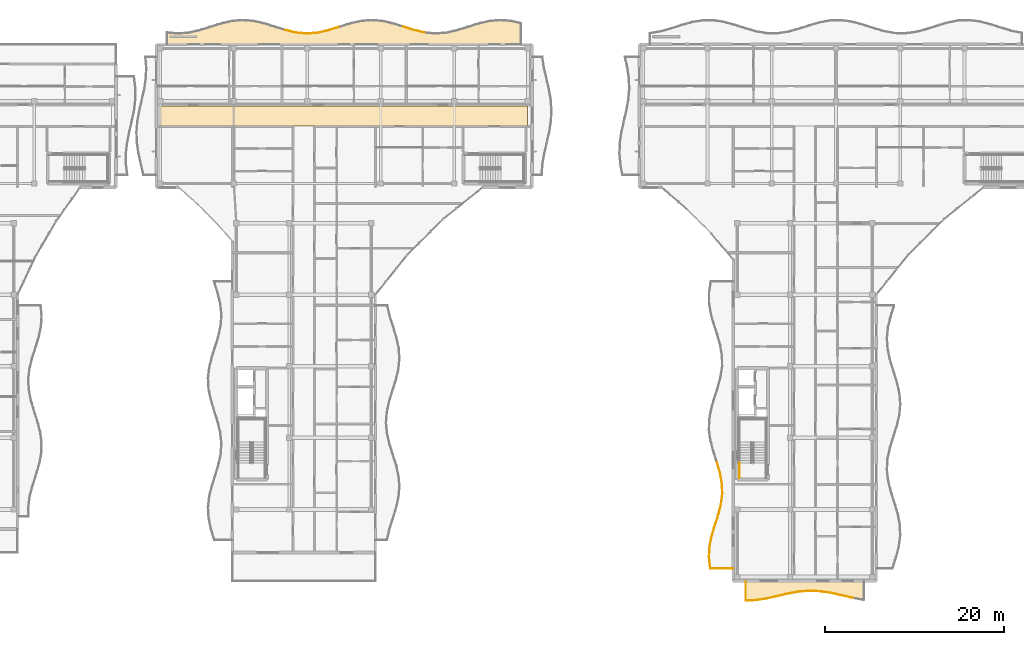
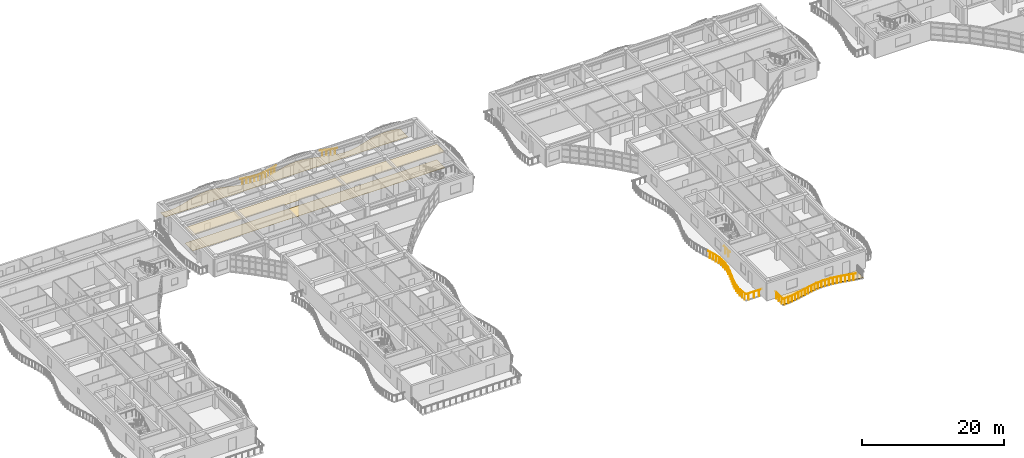
# One storey, part 56 of 71: 30 railings, 4 coverings.
"""IFC4 building model written with IfcOpenShell, lengths in metres."""

from ifc_helpers import new_model, si_unit, direction, frame, origin, origin_2d, place, context, subcontext, project, spatial, polyline, circle, outline, extrude, material, layer, layer_set, type_object, element, save


model = new_model("IFC4")

# Units and contexts
model_context = context("Model", 3, precision=1e-05, world=origin(), true_north=direction((0.0, 1.0)))
body_context = subcontext(model_context, "Body", "Model", "MODEL_VIEW")
ifc_project = project(units=[si_unit("LENGTHUNIT", "METRE"), si_unit("AREAUNIT", "SQUARE_METRE"), si_unit("VOLUMEUNIT", "CUBIC_METRE"), si_unit("PLANEANGLEUNIT", "RADIAN"), si_unit("MASSUNIT", "GRAM", prefix="KILO")], contexts=[model_context])

# Site, building, storey
site_placement = place(None, origin())
site = spatial("IfcSite", under=ifc_project, at=site_placement, CompositionType="ELEMENT")
building_placement = place(site_placement, origin())
building = spatial("IfcBuilding", under=site, at=building_placement, Name="Keldmere Railside Commons", CompositionType="ELEMENT")
storey_placement = place(building_placement, frame((0.0, 0.0, 20.159912109375)))
storey = spatial("IfcBuildingStorey", under=building, at=storey_placement, Name="L06", CompositionType="ELEMENT", Elevation=20.159912109375)

# Railings
ifc_material_1 = material(Name="Steel F-24 (S235)", Category="steel")
railing_type_1 = type_object("IfcRailingType", Name="Balcony & Terrace Steel Balustrade 1100", PredefinedType="BALUSTRADE", material=ifc_material_1)
railing_1_placement = place(storey_placement, frame((53.89990234375, 117.6005859375, 0.0)))
element("IfcRailing", 1, at=railing_1_placement, inside=storey, type_object=railing_type_1, Name="GR-1 GRD-L06-1447", PredefinedType="BALUSTRADE", context=body_context, shape_type="SweptSolid", body=[
    extrude(circle(Radius=0.02392578125, at=origin_2d()), frame((0.0, 0.0, 1.076171875), z_axis=(0.972916525002, -0.231156733361, 0.0), x_axis=(0.231156733361, 0.972916525002, 0.0)), (0.0, 0.0, 1.0), 1.233642578125),
    extrude(circle(Radius=0.02099609375, at=origin_2d()), frame((0.300048828125, -0.0712890625, 0.0)), (0.0, 0.0, 1.0), 1.048095703125),
    extrude(circle(Radius=0.02099609375, at=origin_2d()), frame((0.900146484375, -0.2138671875, 0.0)), (0.0, 0.0, 1.0), 1.048095703125),
])
railing_2_placement = place(storey_placement, frame((55.10009765625, 117.3154296875, 0.0)))
element("IfcRailing", 2, at=railing_2_placement, inside=storey, type_object=railing_type_1, Name="GR-1 GRD-L06-1448", PredefinedType="BALUSTRADE", context=body_context, shape_type="SweptSolid", body=[
    extrude(circle(Radius=0.02392578125, at=origin_2d()), frame((0.0, 0.0, 1.076171875), z_axis=(0.995458988415, -0.095191398689, 0.0), x_axis=(0.095191398689, 0.995458988415, 0.0)), (0.0, 0.0, 1.0), 1.205322265625),
    extrude(circle(Radius=0.02099609375, at=origin_2d()), frame((0.300048828125, -0.02880859375, 0.0)), (0.0, 0.0, 1.0), 1.048095703125),
    extrude(circle(Radius=0.02099609375, at=origin_2d()), frame((0.89990234375, -0.0859375, 0.0)), (0.0, 0.0, 1.0), 1.048095703125),
])
railing_3_placement = place(storey_placement, frame((56.300048828125, 117.20068359375, 0.0)))
element("IfcRailing", 3, at=railing_3_placement, inside=storey, type_object=railing_type_1, Name="GR-1 GRD-L06-1449", PredefinedType="BALUSTRADE", context=body_context, shape_type="SweptSolid", body=[
    extrude(circle(Radius=0.02392578125, at=origin_2d()), frame((0.0, 0.0, 1.076171875), z_axis=(0.997459729889, 0.071232627709, 0.0), x_axis=(-0.071232627709, 0.997459729889, 0.0)), (0.0, 0.0, 1.0), 1.203125),
    extrude(circle(Radius=0.02099609375, at=origin_2d()), frame((0.300048828125, 0.021484375, 0.0)), (0.0, 0.0, 1.0), 1.048095703125),
    extrude(circle(Radius=0.02099609375, at=origin_2d()), frame((0.89990234375, 0.064208984375, 0.0)), (0.0, 0.0, 1.0), 1.048095703125),
])
railing_4_placement = place(storey_placement, frame((57.5, 117.286376953125, 0.0)))
element("IfcRailing", 4, at=railing_4_placement, inside=storey, type_object=railing_type_1, Name="GR-1 GRD-L06-1450", PredefinedType="BALUSTRADE", context=body_context, shape_type="SweptSolid", body=[
    extrude(circle(Radius=0.02392578125, at=origin_2d()), frame((0.0, 0.0, 1.076171875), z_axis=(0.976698645206, 0.214615368631, 0.0), x_axis=(-0.214615368631, 0.976698645206, 0.0)), (0.0, 0.0, 1.0), 1.228515625),
    extrude(circle(Radius=0.02099609375, at=origin_2d()), frame((0.300048828125, 0.06591796875, 0.0)), (0.0, 0.0, 1.0), 1.048095703125),
    extrude(circle(Radius=0.02099609375, at=origin_2d()), frame((0.89990234375, 0.19775390625, 0.0)), (0.0, 0.0, 1.0), 1.048095703125),
])
railing_5_placement = place(storey_placement, frame((58.699951171875, 117.550048828125, 0.0)))
element("IfcRailing", 5, at=railing_5_placement, inside=storey, type_object=railing_type_1, Name="GR-1 GRD-L06-1451", PredefinedType="BALUSTRADE", context=body_context, shape_type="SweptSolid", body=[
    extrude(circle(Radius=0.02392578125, at=origin_2d()), frame((0.0, 0.0, 1.076171875), z_axis=(0.955412612016, 0.295274009695, 0.0), x_axis=(-0.295274009695, 0.955412612016, 0.0)), (0.0, 0.0, 1.0), 1.255859375),
    extrude(circle(Radius=0.02099609375, at=origin_2d()), frame((0.300048828125, 0.0927734375, 0.0)), (0.0, 0.0, 1.0), 1.048095703125),
    extrude(circle(Radius=0.02099609375, at=origin_2d()), frame((0.89990234375, 0.278076171875, 0.0)), (0.0, 0.0, 1.0), 1.048095703125),
])
railing_6_placement = place(storey_placement, frame((67.10009765625, 117.97900390625, 0.0)))
element("IfcRailing", 6, at=railing_6_placement, inside=storey, type_object=railing_type_1, Name="GR-1 GRD-L06-1458", PredefinedType="BALUSTRADE", context=body_context, shape_type="SweptSolid", body=[
    extrude(circle(Radius=0.02392578125, at=origin_2d()), frame((0.0, 0.0, 1.076171875), z_axis=(0.953699895739, -0.300759885736, 0.0), x_axis=(0.300759885736, 0.953699895739, 0.0)), (0.0, 0.0, 1.0), 1.25830078125),
    extrude(circle(Radius=0.02099609375, at=origin_2d()), frame((0.300048828125, -0.0947265625, 0.0)), (0.0, 0.0, 1.0), 1.048095703125),
    extrude(circle(Radius=0.02099609375, at=origin_2d()), frame((0.89990234375, -0.28369140625, 0.0)), (0.0, 0.0, 1.0), 1.048095703125),
])
railing_7_placement = place(storey_placement, frame((68.300048828125, 117.6005859375, 0.0)))
element("IfcRailing", 7, at=railing_7_placement, inside=storey, type_object=railing_type_1, Name="GR-1 GRD-L06-1459", PredefinedType="BALUSTRADE", context=body_context, shape_type="SweptSolid", body=[
    extrude(circle(Radius=0.02392578125, at=origin_2d()), frame((0.0, 0.0, 1.076171875), z_axis=(0.972905947034, -0.231201250485, 0.0), x_axis=(0.231201250485, 0.972905947034, 0.0)), (0.0, 0.0, 1.0), 1.2333984375),
    extrude(circle(Radius=0.02099609375, at=origin_2d()), frame((0.300048828125, -0.0712890625, 0.0)), (0.0, 0.0, 1.0), 1.048095703125),
    extrude(circle(Radius=0.02099609375, at=origin_2d()), frame((0.89990234375, -0.2138671875, 0.0)), (0.0, 0.0, 1.0), 1.048095703125),
])
railing_8_placement = place(storey_placement, frame((104.0, 57.39990234375, 0.0)))
element("IfcRailing", 8, at=railing_8_placement, inside=storey, type_object=railing_type_1, Name="GR-1 GRD-L06-2562", PredefinedType="BALUSTRADE", context=body_context, shape_type="SweptSolid", body=[
    extrude(circle(Radius=0.02392578125, at=origin_2d()), frame((0.0, 0.0, 1.076171875), z_axis=(-1.0, 0.0, 0.0), x_axis=(0.0, -1.0, 0.0)), (0.0, 0.0, 1.0), 2.54541015625),
    extrude(circle(Radius=0.02099609375, at=origin_2d()), frame((-0.42431640625, 0.0, 0.0)), (0.0, 0.0, 1.0), 1.048095703125),
    extrude(circle(Radius=0.02099609375, at=origin_2d()), frame((-1.272705078125, 0.0, 0.0)), (0.0, 0.0, 1.0), 1.048095703125),
    extrude(circle(Radius=0.02099609375, at=origin_2d()), frame((-2.12109375, 0.0, 0.0)), (0.0, 0.0, 1.0), 1.048095703125),
])
railing_9_placement = place(storey_placement, frame((101.45458984375, 57.39990234375, 0.0)))
element("IfcRailing", 9, at=railing_9_placement, inside=storey, type_object=railing_type_1, Name="GR-1 GRD-L06-2563", PredefinedType="BALUSTRADE", context=body_context, shape_type="SweptSolid", body=[
    extrude(circle(Radius=0.02392578125, at=origin_2d()), frame((0.0, 0.0, 1.076171875), z_axis=(-0.123282308494, 0.99237164027, 0.0), x_axis=(-0.99237164027, -0.123282308494, 0.0)), (0.0, 0.0, 1.0), 1.197998046875),
    extrude(circle(Radius=0.02099609375, at=origin_2d()), frame((-0.036865234375, 0.29736328125, 0.0)), (0.0, 0.0, 1.0), 1.048095703125),
    extrude(circle(Radius=0.02099609375, at=origin_2d()), frame((-0.11083984375, 0.8916015625, 0.0)), (0.0, 0.0, 1.0), 1.048095703125),
])
railing_10_placement = place(storey_placement, frame((101.306884765625, 58.5888671875, 0.0)))
element("IfcRailing", 10, at=railing_10_placement, inside=storey, type_object=railing_type_1, Name="GR-1 GRD-L06-2564", PredefinedType="BALUSTRADE", context=body_context, shape_type="SweptSolid", body=[
    extrude(circle(Radius=0.02392578125, at=origin_2d()), frame((0.0, 0.0, 1.076171875), z_axis=(0.040009007644, 0.999199319109, 0.0), x_axis=(-0.999199319109, 0.040009007644, 0.0)), (0.0, 0.0, 1.0), 1.18994140625),
    extrude(circle(Radius=0.02099609375, at=origin_2d()), frame((0.011962890625, 0.29736328125, 0.0)), (0.0, 0.0, 1.0), 1.048095703125),
    extrude(circle(Radius=0.02099609375, at=origin_2d()), frame((0.03564453125, 0.8916015625, 0.0)), (0.0, 0.0, 1.0), 1.048095703125),
])
railing_11_placement = place(storey_placement, frame((101.3544921875, 59.77783203125, 0.0)))
element("IfcRailing", 11, at=railing_11_placement, inside=storey, type_object=railing_type_1, Name="GR-1 GRD-L06-2565", PredefinedType="BALUSTRADE", context=body_context, shape_type="SweptSolid", body=[
    extrude(circle(Radius=0.02392578125, at=origin_2d()), frame((0.0, 0.0, 1.076171875), z_axis=(0.190491965736, 0.981688754642, 0.0), x_axis=(-0.981688754642, 0.190491965736, 0.0)), (0.0, 0.0, 1.0), 1.211181640625),
    extrude(circle(Radius=0.02099609375, at=origin_2d()), frame((0.0576171875, 0.29736328125, 0.0)), (0.0, 0.0, 1.0), 1.048095703125),
    extrude(circle(Radius=0.02099609375, at=origin_2d()), frame((0.173095703125, 0.8916015625, 0.0)), (0.0, 0.0, 1.0), 1.048095703125),
])
railing_12_placement = place(storey_placement, frame((101.585205078125, 60.966796875, 0.0)))
element("IfcRailing", 12, at=railing_12_placement, inside=storey, type_object=railing_type_1, Name="GR-1 GRD-L06-2566", PredefinedType="BALUSTRADE", context=body_context, shape_type="SweptSolid", body=[
    extrude(circle(Radius=0.02392578125, at=origin_2d()), frame((0.0, 0.0, 1.076171875), z_axis=(0.284510641721, 0.958672882034, 0.0), x_axis=(-0.958672882034, 0.284510641721, 0.0)), (0.0, 0.0, 1.0), 1.239990234375),
    extrude(circle(Radius=0.02099609375, at=origin_2d()), frame((0.088134765625, 0.297119140625, 0.0)), (0.0, 0.0, 1.0), 1.048095703125),
    extrude(circle(Radius=0.02099609375, at=origin_2d()), frame((0.2646484375, 0.8916015625, 0.0)), (0.0, 0.0, 1.0), 1.048095703125),
])
railing_13_placement = place(storey_placement, frame((101.93798828125, 62.155517578125, 0.0)))
element("IfcRailing", 13, at=railing_13_placement, inside=storey, type_object=railing_type_1, Name="GR-1 GRD-L06-2567", PredefinedType="BALUSTRADE", context=body_context, shape_type="SweptSolid", body=[
    extrude(circle(Radius=0.02392578125, at=origin_2d()), frame((0.0, 0.0, 1.076171875), z_axis=(0.306300223128, 0.951934962753, 0.0), x_axis=(-0.951934962753, 0.306300223128, 0.0)), (0.0, 0.0, 1.0), 1.2490234375),
    extrude(circle(Radius=0.02099609375, at=origin_2d()), frame((0.095703125, 0.29736328125, 0.0)), (0.0, 0.0, 1.0), 1.048095703125),
    extrude(circle(Radius=0.02099609375, at=origin_2d()), frame((0.286865234375, 0.8916015625, 0.0)), (0.0, 0.0, 1.0), 1.048095703125),
])
railing_14_placement = place(storey_placement, frame((102.320556640625, 63.344482421875, 0.0)))
element("IfcRailing", 14, at=railing_14_placement, inside=storey, type_object=railing_type_1, Name="GR-1 GRD-L06-2568", PredefinedType="BALUSTRADE", context=body_context, shape_type="SweptSolid", body=[
    extrude(circle(Radius=0.02392578125, at=origin_2d()), frame((0.0, 0.0, 1.076171875), z_axis=(0.253133603369, 0.9674313303, 0.0), x_axis=(-0.9674313303, 0.253133603369, 0.0)), (0.0, 0.0, 1.0), 1.228759765625),
    extrude(circle(Radius=0.02099609375, at=origin_2d()), frame((0.07763671875, 0.297119140625, 0.0)), (0.0, 0.0, 1.0), 1.048095703125),
    extrude(circle(Radius=0.02099609375, at=origin_2d()), frame((0.2333984375, 0.8916015625, 0.0)), (0.0, 0.0, 1.0), 1.048095703125),
])
railing_15_placement = place(storey_placement, frame((102.631591796875, 64.533203125, 0.0)))
element("IfcRailing", 15, at=railing_15_placement, inside=storey, type_object=railing_type_1, Name="GR-1 GRD-L06-2569", PredefinedType="BALUSTRADE", context=body_context, shape_type="SweptSolid", body=[
    extrude(circle(Radius=0.02392578125, at=origin_2d()), frame((0.0, 0.0, 1.076171875), z_axis=(0.131897062667, 0.991263418502, 0.0), x_axis=(-0.991263418502, 0.131897062667, 0.0)), (0.0, 0.0, 1.0), 1.199462890625),
    extrude(circle(Radius=0.02099609375, at=origin_2d()), frame((0.03955078125, 0.29736328125, 0.0)), (0.0, 0.0, 1.0), 1.048095703125),
    extrude(circle(Radius=0.02099609375, at=origin_2d()), frame((0.11865234375, 0.8916015625, 0.0)), (0.0, 0.0, 1.0), 1.048095703125),
])
railing_16_placement = place(storey_placement, frame((102.789794921875, 65.72216796875, 0.0)))
element("IfcRailing", 16, at=railing_16_placement, inside=storey, type_object=railing_type_1, Name="GR-1 GRD-L06-2570", PredefinedType="BALUSTRADE", context=body_context, shape_type="SweptSolid", body=[
    extrude(circle(Radius=0.02392578125, at=origin_2d()), frame((0.0, 0.0, 1.076171875), z_axis=(-0.030581172628, 0.999532286562, 0.0), x_axis=(-0.999532286562, -0.030581172628, 0.0)), (0.0, 0.0, 1.0), 1.189453125),
    extrude(circle(Radius=0.02099609375, at=origin_2d()), frame((-0.009033203125, 0.29736328125, 0.0)), (0.0, 0.0, 1.0), 1.048095703125),
    extrude(circle(Radius=0.02099609375, at=origin_2d()), frame((-0.02734375, 0.8916015625, 0.0)), (0.0, 0.0, 1.0), 1.048095703125),
])
railing_17_placement = place(storey_placement, frame((102.75341796875, 66.9111328125, 0.0)))
element("IfcRailing", 17, at=railing_17_placement, inside=storey, type_object=railing_type_1, Name="GR-1 GRD-L06-2571", PredefinedType="BALUSTRADE", context=body_context, shape_type="SweptSolid", body=[
    extrude(circle(Radius=0.02392578125, at=origin_2d()), frame((0.0, 0.0, 1.076171875), z_axis=(-0.183289041467, 0.983059066017, 0.0), x_axis=(-0.983059066017, -0.183289041467, 0.0)), (0.0, 0.0, 1.0), 1.20947265625),
    extrude(circle(Radius=0.02099609375, at=origin_2d()), frame((-0.055419921875, 0.29736328125, 0.0)), (0.0, 0.0, 1.0), 1.048095703125),
    extrude(circle(Radius=0.02099609375, at=origin_2d()), frame((-0.166259765625, 0.8916015625, 0.0)), (0.0, 0.0, 1.0), 1.048095703125),
])
railing_18_placement = place(storey_placement, frame((102.53173828125, 68.10009765625, 0.0)))
element("IfcRailing", 18, at=railing_18_placement, inside=storey, type_object=railing_type_1, Name="GR-1 GRD-L06-2572", PredefinedType="BALUSTRADE", context=body_context, shape_type="SweptSolid", body=[
    extrude(circle(Radius=0.02392578125, at=origin_2d()), frame((0.0, 0.0, 1.076171875), z_axis=(-0.281248530234, 0.959634964057, 0.0), x_axis=(-0.959634964057, -0.281248530234, 0.0)), (0.0, 0.0, 1.0), 1.23876953125),
    extrude(circle(Radius=0.02099609375, at=origin_2d()), frame((-0.087158203125, 0.297119140625, 0.0)), (0.0, 0.0, 1.0), 1.048095703125),
    extrude(circle(Radius=0.02099609375, at=origin_2d()), frame((-0.26123046875, 0.8916015625, 0.0)), (0.0, 0.0, 1.0), 1.048095703125),
])
railing_19_placement = place(storey_placement, frame((105.39990234375, 56.0, 0.0)))
element("IfcRailing", 19, at=railing_19_placement, inside=storey, type_object=railing_type_1, Name="GR-1 GRD-L06-2617", PredefinedType="BALUSTRADE", context=body_context, shape_type="SweptSolid", body=[
    extrude(circle(Radius=0.02392578125, at=origin_2d()), frame((0.0, 0.0, 1.076171875), z_axis=(0.0, -1.0, 0.0), x_axis=(1.0, 0.0, 0.0)), (0.0, 0.0, 1.0), 2.19921875),
    extrude(circle(Radius=0.02099609375, at=origin_2d()), frame((0.0, -0.366455078125, 0.0)), (0.0, 0.0, 1.0), 1.048095703125),
    extrude(circle(Radius=0.02099609375, at=origin_2d()), frame((0.0, -1.099609375, 0.0)), (0.0, 0.0, 1.0), 1.048095703125),
    extrude(circle(Radius=0.02099609375, at=origin_2d()), frame((0.0, -1.832763671875, 0.0)), (0.0, 0.0, 1.0), 1.048095703125),
])
railing_20_placement = place(storey_placement, frame((105.39990234375, 53.80078125, 0.0)))
element("IfcRailing", 20, at=railing_20_placement, inside=storey, type_object=railing_type_1, Name="GR-1 GRD-L06-2618", PredefinedType="BALUSTRADE", context=body_context, shape_type="SweptSolid", body=[
    extrude(circle(Radius=0.02392578125, at=origin_2d()), frame((0.0, 0.0, 1.076171875), z_axis=(0.998800505136, 0.048964792868, 0.0), x_axis=(-0.048964792868, 0.998800505136, 0.0)), (0.0, 0.0, 1.0), 1.20166015625),
    extrude(circle(Radius=0.02099609375, at=origin_2d()), frame((0.300048828125, 0.0146484375, 0.0)), (0.0, 0.0, 1.0), 1.048095703125),
    extrude(circle(Radius=0.02099609375, at=origin_2d()), frame((0.900146484375, 0.044189453125, 0.0)), (0.0, 0.0, 1.0), 1.048095703125),
])
railing_21_placement = place(storey_placement, frame((106.60009765625, 53.859619140625, 0.0)))
element("IfcRailing", 21, at=railing_21_placement, inside=storey, type_object=railing_type_1, Name="GR-1 GRD-L06-2619", PredefinedType="BALUSTRADE", context=body_context, shape_type="SweptSolid", body=[
    extrude(circle(Radius=0.02392578125, at=origin_2d()), frame((0.0, 0.0, 1.076171875), z_axis=(0.98767155392, 0.156540415158, 0.0), x_axis=(-0.156540415158, 0.98767155392, 0.0)), (0.0, 0.0, 1.0), 1.21484375),
    extrude(circle(Radius=0.02099609375, at=origin_2d()), frame((0.300048828125, 0.047607421875, 0.0)), (0.0, 0.0, 1.0), 1.048095703125),
    extrude(circle(Radius=0.02099609375, at=origin_2d()), frame((0.89990234375, 0.142578125, 0.0)), (0.0, 0.0, 1.0), 1.048095703125),
])
railing_22_placement = place(storey_placement, frame((107.800048828125, 54.0498046875, 0.0)))
element("IfcRailing", 22, at=railing_22_placement, inside=storey, type_object=railing_type_1, Name="GR-1 GRD-L06-2620", PredefinedType="BALUSTRADE", context=body_context, shape_type="SweptSolid", body=[
    extrude(circle(Radius=0.02392578125, at=origin_2d()), frame((0.0, 0.0, 1.076171875), z_axis=(0.975519348897, 0.219913619243, 0.0), x_axis=(-0.219913619243, 0.975519348897, 0.0)), (0.0, 0.0, 1.0), 1.22998046875),
    extrude(circle(Radius=0.02099609375, at=origin_2d()), frame((0.300048828125, 0.067626953125, 0.0)), (0.0, 0.0, 1.0), 1.048095703125),
    extrude(circle(Radius=0.02099609375, at=origin_2d()), frame((0.89990234375, 0.202880859375, 0.0)), (0.0, 0.0, 1.0), 1.048095703125),
])
railing_23_placement = place(storey_placement, frame((109.0, 54.3203125, 0.0)))
element("IfcRailing", 23, at=railing_23_placement, inside=storey, type_object=railing_type_1, Name="GR-1 GRD-L06-2621", PredefinedType="BALUSTRADE", context=body_context, shape_type="SweptSolid", body=[
    extrude(circle(Radius=0.02392578125, at=origin_2d()), frame((0.0, 0.0, 1.076171875), z_axis=(0.974096420676, 0.226133065309, 0.0), x_axis=(-0.226133065309, 0.974096420676, 0.0)), (0.0, 0.0, 1.0), 1.23193359375),
    extrude(circle(Radius=0.02099609375, at=origin_2d()), frame((0.300048828125, 0.069580078125, 0.0)), (0.0, 0.0, 1.0), 1.048095703125),
    extrude(circle(Radius=0.02099609375, at=origin_2d()), frame((0.89990234375, 0.208984375, 0.0)), (0.0, 0.0, 1.0), 1.048095703125),
])
railing_24_placement = place(storey_placement, frame((110.199951171875, 54.598876953125, 0.0)))
element("IfcRailing", 24, at=railing_24_placement, inside=storey, type_object=railing_type_1, Name="GR-1 GRD-L06-2622", PredefinedType="BALUSTRADE", context=body_context, shape_type="SweptSolid", body=[
    extrude(circle(Radius=0.02392578125, at=origin_2d()), frame((0.0, 0.0, 1.076171875), z_axis=(0.984761363456, 0.173911060728, 0.0), x_axis=(-0.173911060728, 0.984761363456, 0.0)), (0.0, 0.0, 1.0), 1.218505859375),
    extrude(circle(Radius=0.02099609375, at=origin_2d()), frame((0.300048828125, 0.052978515625, 0.0)), (0.0, 0.0, 1.0), 1.048095703125),
    extrude(circle(Radius=0.02099609375, at=origin_2d()), frame((0.89990234375, 0.158935546875, 0.0)), (0.0, 0.0, 1.0), 1.048095703125),
])
railing_25_placement = place(storey_placement, frame((111.39990234375, 54.810791015625, 0.0)))
element("IfcRailing", 25, at=railing_25_placement, inside=storey, type_object=railing_type_1, Name="GR-1 GRD-L06-2623", PredefinedType="BALUSTRADE", context=body_context, shape_type="SweptSolid", body=[
    extrude(circle(Radius=0.02392578125, at=origin_2d()), frame((0.0, 0.0, 1.076171875), z_axis=(0.99729976492, 0.073438265846, 0.0), x_axis=(-0.073438265846, 0.99729976492, 0.0)), (0.0, 0.0, 1.0), 1.203369140625),
    extrude(circle(Radius=0.02099609375, at=origin_2d()), frame((0.300048828125, 0.02197265625, 0.0)), (0.0, 0.0, 1.0), 1.048095703125),
    extrude(circle(Radius=0.02099609375, at=origin_2d()), frame((0.900146484375, 0.06640625, 0.0)), (0.0, 0.0, 1.0), 1.048095703125),
])
railing_26_placement = place(storey_placement, frame((112.60009765625, 54.899169921875, 0.0)))
element("IfcRailing", 26, at=railing_26_placement, inside=storey, type_object=railing_type_1, Name="GR-1 GRD-L06-2624", PredefinedType="BALUSTRADE", context=body_context, shape_type="SweptSolid", body=[
    extrude(circle(Radius=0.02392578125, at=origin_2d()), frame((0.0, 0.0, 1.076171875), z_axis=(0.998809937834, -0.048772001034, 0.0), x_axis=(0.048772001034, 0.998809937834, 0.0)), (0.0, 0.0, 1.0), 1.201416015625),
    extrude(circle(Radius=0.02099609375, at=origin_2d()), frame((0.300048828125, -0.0146484375, 0.0)), (0.0, 0.0, 1.0), 1.048095703125),
    extrude(circle(Radius=0.02099609375, at=origin_2d()), frame((0.89990234375, -0.0439453125, 0.0)), (0.0, 0.0, 1.0), 1.048095703125),
])
railing_27_placement = place(storey_placement, frame((113.800048828125, 54.840576171875, 0.0)))
element("IfcRailing", 27, at=railing_27_placement, inside=storey, type_object=railing_type_1, Name="GR-1 GRD-L06-2625", PredefinedType="BALUSTRADE", context=body_context, shape_type="SweptSolid", body=[
    extrude(circle(Radius=0.02392578125, at=origin_2d()), frame((0.0, 0.0, 1.076171875), z_axis=(0.98767155392, -0.156540415158, 0.0), x_axis=(0.156540415158, 0.98767155392, 0.0)), (0.0, 0.0, 1.0), 1.21484375),
    extrude(circle(Radius=0.02099609375, at=origin_2d()), frame((0.300048828125, -0.047607421875, 0.0)), (0.0, 0.0, 1.0), 1.048095703125),
    extrude(circle(Radius=0.02099609375, at=origin_2d()), frame((0.89990234375, -0.142578125, 0.0)), (0.0, 0.0, 1.0), 1.048095703125),
])
railing_28_placement = place(storey_placement, frame((115.0, 54.650390625, 0.0)))
element("IfcRailing", 28, at=railing_28_placement, inside=storey, type_object=railing_type_1, Name="GR-1 GRD-L06-2626", PredefinedType="BALUSTRADE", context=body_context, shape_type="SweptSolid", body=[
    extrude(circle(Radius=0.02392578125, at=origin_2d()), frame((0.0, 0.0, 1.076171875), z_axis=(0.97547675299, -0.220102486076, 0.0), x_axis=(0.220102486076, 0.97547675299, 0.0)), (0.0, 0.0, 1.0), 1.230224609375),
    extrude(circle(Radius=0.02099609375, at=origin_2d()), frame((0.300048828125, -0.067626953125, 0.0)), (0.0, 0.0, 1.0), 1.048095703125),
    extrude(circle(Radius=0.02099609375, at=origin_2d()), frame((0.89990234375, -0.203125, 0.0)), (0.0, 0.0, 1.0), 1.048095703125),
])
railing_29_placement = place(storey_placement, frame((116.199951171875, 54.379638671875, 0.0)))
element("IfcRailing", 29, at=railing_29_placement, inside=storey, type_object=railing_type_1, Name="GR-1 GRD-L06-2627", PredefinedType="BALUSTRADE", context=body_context, shape_type="SweptSolid", body=[
    extrude(circle(Radius=0.02392578125, at=origin_2d()), frame((0.0, 0.0, 1.076171875), z_axis=(0.974096420676, -0.226133065309, 0.0), x_axis=(0.226133065309, 0.974096420676, 0.0)), (0.0, 0.0, 1.0), 1.23193359375),
    extrude(circle(Radius=0.02099609375, at=origin_2d()), frame((0.300048828125, -0.069580078125, 0.0)), (0.0, 0.0, 1.0), 1.048095703125),
    extrude(circle(Radius=0.02099609375, at=origin_2d()), frame((0.89990234375, -0.208984375, 0.0)), (0.0, 0.0, 1.0), 1.048095703125),
])

# Covering
ifc_material_2 = material(Name="Polished Terrazzo Tile Flooring", Category="concrete")
ifc_layer_1 = layer(ifc_material_2, 0.030029296875, Name="Polished Terrazzo Floor Finish 30")
ifc_layer_set_1 = layer_set([ifc_layer_1], Name="Polished Terrazzo Tile Flooring")
covering_type_1 = type_object("IfcCoveringType", Name="Polished Terrazzo Floor Finish 30", PredefinedType="FLOORING", material=ifc_layer_set_1)
covering_1_placement = place(storey_placement, origin())
element("IfcCovering", 30, at=covering_1_placement, inside=storey, type_object=covering_type_1, Name="FLR-1 Corridor Terrazzo C-L06", PredefinedType="FLOORING", context=body_context, shape_type="SweptSolid", body=[
    extrude(outline(polyline([(39.97998046875, 106.8798828125), (81.02001953125, 106.8798828125), (81.02001953125, 109.1201171875), (39.97998046875, 109.1201171875), (39.97998046875, 106.8798828125)])), origin(), (0.0, 0.0, 1.0), 0.030029296875),
])

# Railing
railing_type_2 = type_object("IfcRailingType", Name="Stair Well Steel Guardrail 1100", PredefinedType="BALUSTRADE", material=ifc_material_1)
railing_30_placement = place(storey_placement, frame((104.699951171875, 67.5, 0.0)))
element("IfcRailing", 31, at=railing_30_placement, inside=storey, type_object=railing_type_2, Name="L06 ST-B1 stair guard 9", PredefinedType="BALUSTRADE", context=body_context, shape_type="SweptSolid", body=[
    extrude(circle(Radius=0.02392578125, at=origin_2d()), frame((0.0, 0.0, 1.076171875), z_axis=(0.0, 1.0, 0.0), x_axis=(-1.0, 0.0, 0.0)), (0.0, 0.0, 1.0), 1.699951171875),
    extrude(circle(Radius=0.02099609375, at=origin_2d()), frame((0.0, 0.425048828125, 0.0)), (0.0, 0.0, 1.0), 1.048095703125),
    extrude(circle(Radius=0.02099609375, at=origin_2d()), frame((0.0, 1.27490234375, 0.0)), (0.0, 0.0, 1.0), 1.048095703125),
])

# Coverings
ifc_material_3 = material(Name="Acoustic Mineral-Fibre Gypsum Ceiling", Category="gypsum")
ifc_layer_2 = layer(ifc_material_3, 0.02490234375, Name="Suspended Acoustic Ceiling 25")
ifc_layer_set_2 = layer_set([ifc_layer_2], Name="Acoustic Mineral-Fibre Gypsum Ceiling")
covering_type_2 = type_object("IfcCoveringType", Name="Suspended Acoustic Ceiling 25", PredefinedType="CEILING", material=ifc_layer_set_2)
covering_2_placement = place(storey_placement, frame((0.0, 0.0, 2.675048828125)))
element("IfcCovering", 32, at=covering_2_placement, inside=storey, type_object=covering_type_2, Name="CLG-1 Corridor Ceiling C-L06", PredefinedType="CEILING", context=body_context, shape_type="SweptSolid", body=[
    extrude(outline(polyline([(39.97998046875, 106.8798828125), (81.02001953125, 106.8798828125), (81.02001953125, 109.1201171875), (39.97998046875, 109.1201171875), (39.97998046875, 106.8798828125)])), origin(), (0.0, 0.0, 1.0), 0.025146484375),
])
ifc_material_4 = material(Name="White Precast Concrete C35/45", Category="concrete")
ifc_layer_3 = layer(ifc_material_4, 0.044921875, Name="White Architectural Balcony Ribbon Cladding 45")
ifc_layer_set_3 = layer_set([ifc_layer_3], Name="White Precast Concrete C35/45")
covering_type_3 = type_object("IfcCoveringType", Name="White Architectural Balcony Ribbon Cladding 45", PredefinedType="FLOORING", material=ifc_layer_set_3)
covering_3_placement = place(storey_placement, origin())
element("IfcCovering", 33, at=covering_3_placement, inside=storey, type_object=covering_type_3, Name="CLG-WB C L06 N White Balcony Ribbon", PredefinedType="FLOORING", context=body_context, shape_type="SweptSolid", body=[
    extrude(outline(polyline([(80.260009765625, 116.0400390625), (80.260009765625, 118.317626953125), (79.09423828125, 118.573974609375), (77.900390625, 118.6591796875), (76.70654296875, 118.544921875), (75.5107421875, 118.260986328125), (74.31201171875, 117.8828125), (74.311767578125, 117.8828125), (73.11181640625, 117.511962890625), (73.108642578125, 117.510986328125), (71.90869140625, 117.247314453125), (71.90283203125, 117.24658203125), (70.702880859375, 117.16064453125), (70.699462890625, 117.16064453125), (70.6962890625, 117.160888671875), (69.49609375, 117.275634765625), (69.49072265625, 117.276611328125), (68.290771484375, 117.5615234375), (68.2880859375, 117.5625), (67.088134765625, 117.94091796875), (65.889892578125, 118.311279296875), (64.6943359375, 118.573974609375), (63.50048828125, 118.6591796875), (62.306640625, 118.544921875), (61.110595703125, 118.260986328125), (59.912109375, 117.8828125), (59.911865234375, 117.8828125), (58.7119140625, 117.511962890625), (58.70849609375, 117.510986328125), (57.508544921875, 117.247314453125), (57.5029296875, 117.24658203125), (56.302978515625, 117.16064453125), (56.299560546875, 117.16064453125), (56.296142578125, 117.160888671875), (55.09619140625, 117.275634765625), (55.0908203125, 117.276611328125), (53.890869140625, 117.5615234375), (53.887939453125, 117.5625), (52.68798828125, 117.94091796875), (51.48974609375, 118.311279296875), (50.294189453125, 118.573974609375), (49.1005859375, 118.6591796875), (47.906494140625, 118.544921875), (46.710693359375, 118.260986328125), (45.511962890625, 117.8828125), (45.51171875, 117.8828125), (44.311767578125, 117.511962890625), (44.30859375, 117.510986328125), (43.108642578125, 117.247314453125), (43.102783203125, 117.24658203125), (41.90283203125, 117.16064453125), (41.8994140625, 117.16064453125), (41.896240234375, 117.160888671875), (40.739990234375, 117.271484375), (40.739990234375, 116.0400390625), (80.260009765625, 116.0400390625)])), origin(), (0.0, 0.0, 1.0), 0.045166015625),
])
covering_4_placement = place(storey_placement, origin())
element("IfcCovering", 34, at=covering_4_placement, inside=storey, type_object=covering_type_3, Name="CLG-WB B L06 S White Balcony Ribbon", PredefinedType="FLOORING", context=body_context, shape_type="SweptSolid", body=[
    extrude(outline(polyline([(106.595947265625, 53.8994140625), (107.79248046875, 54.089111328125), (108.9912109375, 54.359375), (110.19091796875, 54.637939453125), (110.193115234375, 54.63818359375), (111.39306640625, 54.85009765625), (111.397216796875, 54.8505859375), (112.59716796875, 54.939208984375), (112.60205078125, 54.939208984375), (113.802001953125, 54.880615234375), (113.806396484375, 54.8798828125), (115.00634765625, 54.689697265625), (115.0087890625, 54.689208984375), (116.208740234375, 54.418701171875), (116.208984375, 54.418701171875), (117.407958984375, 54.140380859375), (118.56005859375, 53.93701171875), (118.56005859375, 55.9599609375), (105.43994140625, 55.9599609375), (105.43994140625, 53.8427734375), (106.595947265625, 53.8994140625)])), origin(), (0.0, 0.0, 1.0), 0.045166015625),
])

save(model, "model.ifc")
